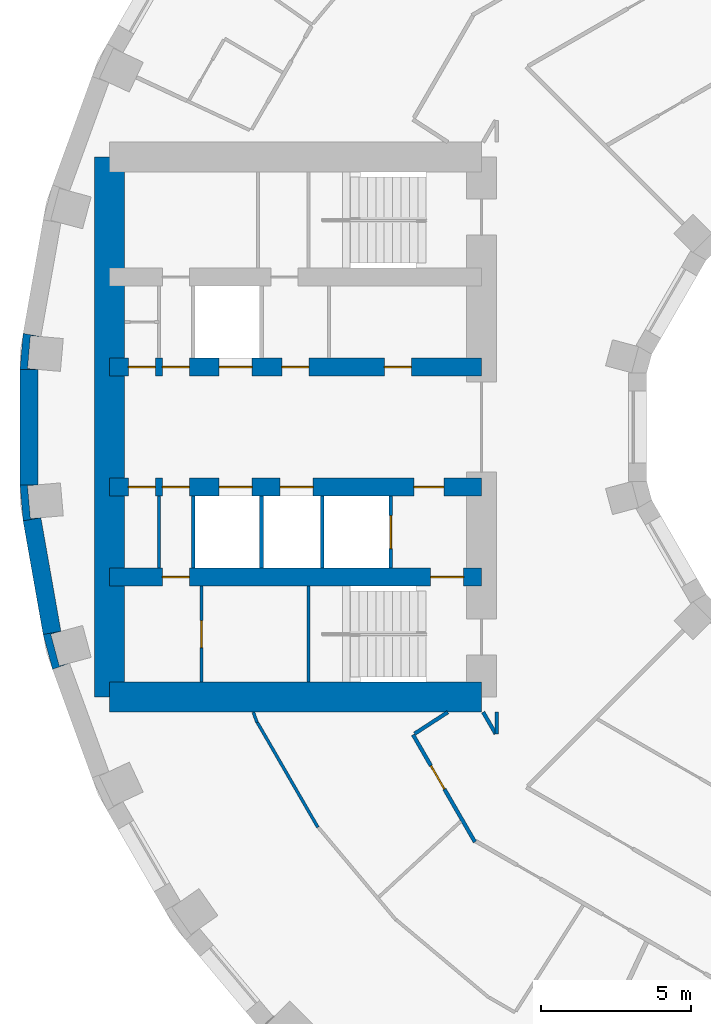
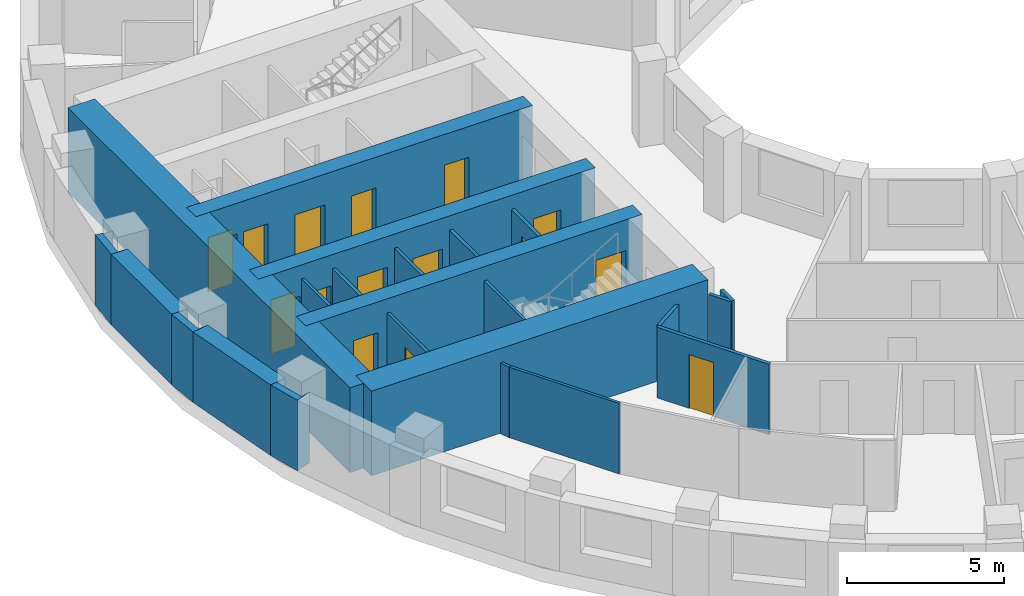
# One storey, part 5 of 15: 23 walls, 15 doors, 15 openings.
"""IFC4 building model written with IfcOpenShell, lengths in metres."""

from ifc_helpers import new_model, si_unit, direction, frame, frame_2d, origin, place, context, subcontext, project, spatial, polyline, rectangle, outline, extrude, material, layer, layer_set, type_object, element, fill, save


model = new_model("IFC4")

# Units and contexts
model_context = context("Model", 3, precision=1e-05, world=origin(), true_north=direction((0.0, 1.0)))
body_context = subcontext(model_context, "Body", "Model", "MODEL_VIEW")
ifc_project = project(units=[si_unit("LENGTHUNIT", "METRE"), si_unit("AREAUNIT", "SQUARE_METRE"), si_unit("VOLUMEUNIT", "CUBIC_METRE"), si_unit("PLANEANGLEUNIT", "RADIAN"), si_unit("MASSUNIT", "GRAM", prefix="KILO")], contexts=[model_context])

# Site, building, storey
site_placement = place(None, origin())
site = spatial("IfcSite", under=ifc_project, at=site_placement, CompositionType="ELEMENT")
building_placement = place(site_placement, origin())
building = spatial("IfcBuilding", under=site, at=building_placement, Name="Saqina Gate Tower", CompositionType="ELEMENT")
storey_placement = place(building_placement, frame((0.0, 0.0, 69.199951171875)))
storey = spatial("IfcBuildingStorey", under=building, at=storey_placement, Name="L19", CompositionType="ELEMENT", Elevation=69.199951171875)

# Walls
ifc_material_1 = material(Name="Brick masonry (red)", Category="masonry")
wall_type_1 = type_object("IfcWallType", Name="BRICK PIER COPING RED", PredefinedType="SOLIDWALL", material=ifc_material_1)
wall_1_placement = place(storey_placement, origin())
element("IfcWall", 1, at=wall_1_placement, inside=storey, type_object=wall_type_1, Name="Pier cap L19 column 18", PredefinedType="SOLIDWALL", context=body_context, shape_type="SweptSolid", body=[
    extrude(outline(polyline([(-28.78466796875, 3.122802734375), (-28.8896484375, 1.9228515625), (-28.28955078125, 1.9228515625), (-28.638671875, 1.95361328125), (-28.54296875, 3.04931640625), (-28.19384765625, 3.018798828125), (-28.78466796875, 3.122802734375)])), origin(), (0.0, 0.0, 1.0), 2.75),
])
wall_2_placement = place(storey_placement, origin())
element("IfcWall", 2, at=wall_2_placement, inside=storey, type_object=wall_type_1, Name="Pier cap L19 column 19", PredefinedType="SOLIDWALL", context=body_context, shape_type="SweptSolid", body=[
    extrude(outline(polyline([(-28.8896484375, -1.9228515625), (-28.78466796875, -3.122802734375), (-28.19384765625, -3.018798828125), (-28.54296875, -3.04931640625), (-28.638671875, -1.95361328125), (-28.28955078125, -1.9228515625), (-28.8896484375, -1.9228515625)])), origin(), (0.0, 0.0, 1.0), 2.75),
])
wall_3_placement = place(storey_placement, origin())
element("IfcWall", 3, at=wall_3_placement, inside=storey, type_object=wall_type_1, Name="Pier cap L19 column 20", PredefinedType="SOLIDWALL", context=body_context, shape_type="SweptSolid", body=[
    extrude(outline(polyline([(-28.11669921875, -6.910400390625), (-27.80517578125, -8.073974609375), (-27.2412109375, -7.86865234375), (-27.57958984375, -7.95947265625), (-27.864501953125, -6.896728515625), (-27.52587890625, -6.80615234375), (-28.11669921875, -6.910400390625)])), origin(), (0.0, 0.0, 1.0), 2.75),
])
ifc_material_2 = material(Name="Gypsum board on steel studs", Category="steel")
ifc_layer_1 = layer(ifc_material_2, 0.10009765625)
ifc_layer_set_1 = layer_set([ifc_layer_1], Name="CORE PARTITION")
wall_type_2 = type_object("IfcWallType", Name="CORE PARTITION", PredefinedType="PARTITIONING", material=ifc_layer_set_1)
wall_4_placement = place(storey_placement, frame((-24.260009765625, -4.699951171875, 0.0), z_axis=(0.0, 0.0, 1.0), x_axis=(0.0, 1.0, 0.0)))
element("IfcWall", 4, at=wall_4_placement, inside=storey, type_object=wall_type_2, Name="L19-CP-W09", PredefinedType="PARTITIONING", context=body_context, shape_type="SweptSolid", body=[
    extrude(rectangle(XDim=2.39990234375, YDim=0.10009765625, at=frame_2d((1.199951171875, 0.0))), origin(), (0.0, 0.0, 1.0), 2.75),
])

# Wall, opening, door
wall_5_placement = place(storey_placement, frame((-22.846435546875, -8.5, 0.0), z_axis=(0.0, 0.0, 1.0), x_axis=(0.0, 1.0, 0.0)))
wall_5 = element("IfcWall", 5, at=wall_5_placement, inside=storey, type_object=wall_type_2, Name="L19-CP-W14", PredefinedType="PARTITIONING", context=body_context, shape_type="SweptSolid", body=[
    extrude(rectangle(XDim=3.199951171875, YDim=0.10009765625, at=frame_2d((1.60009765625, 0.0))), origin(), (0.0, 0.0, 1.0), 2.75),
])
opening_1_placement = place(wall_5_placement, frame((1.14990234375, 0.0, 0.0)))
opening_1 = element("IfcOpeningElement", 6, at=opening_1_placement, cuts=wall_5, Name="Opening G05-D116", PredefinedType="OPENING", context=body_context, shape_type="SweptSolid", body=[
    extrude(rectangle(XDim=0.89990234375, YDim=2.10009765625, at=frame_2d((0.449951171875, 1.050048828125))), frame((0.0, 0.06201171875, 0.0), z_axis=(0.0, -1.0, 0.0), x_axis=(1.0, 0.0, 0.0)), (0.0, 0.0, 1.0), 0.1240234375),
])
ifc_material_3 = material(Name="Steel-framed fire door leaf, EI 60", Category="steel")
door_type_1 = type_object("IfcDoorType", Name="SERVICE ROOM DOOR 900", OperationType="SINGLE_SWING_LEFT", PredefinedType="DOOR", material=ifc_material_3)
door_1_placement = place(opening_1_placement, frame((0.89990234375, 0.0, 0.0), z_axis=(0.0, 0.0, 1.0), x_axis=(-1.0, 0.0, 0.0)))
door_1 = element("IfcDoor", 7, at=door_1_placement, inside=storey, type_object=door_type_1, Name="L19-CD-W27", OperationType="SINGLE_SWING_RIGHT", OverallHeight=2.10009765625, OverallWidth=0.89990234375, PredefinedType="DOOR", context=body_context, shape_type="SweptSolid", body=[
    extrude(rectangle(XDim=0.89990234375, YDim=2.10009765625, at=frame_2d((0.449951171875, 1.050048828125))), frame((0.0, 0.02490234375, 0.0), z_axis=(0.0, -1.0, 0.0), x_axis=(1.0, 0.0, 0.0)), (0.0, 0.0, 1.0), 0.050048828125),
])
fill(opening_1, door_1)

# Walls
ifc_material_4 = material(Name="Glazed ceramic tile", Category="ceramic")
ifc_layer_2 = layer(ifc_material_4, 0.60009765625)
ifc_layer_set_2 = layer_set([ifc_layer_2], Name="FW-TILE")
wall_type_3 = type_object("IfcWallType", Name="FW-TILE", PredefinedType="SOLIDWALL", material=ifc_layer_set_2)
wall_6_placement = place(storey_placement, frame((-28.589599609375, 1.9228515625, 0.0), z_axis=(0.0, 0.0, 1.0), x_axis=(0.0, -1.0, 0.0)))
element("IfcWall", 8, at=wall_6_placement, inside=storey, type_object=wall_type_3, Name="Facade wall L19 facet 18", PredefinedType="SOLIDWALL", context=body_context, shape_type="SweptSolid", body=[
    extrude(rectangle(XDim=3.845703125, YDim=0.60009765625, at=frame_2d((1.9228515625, 0.0))), origin(), (0.0, 0.0, 1.0), 2.75),
])
ifc_material_5 = material(Name="Glazed ceramic tile (dark blue)", Category="ceramic")
ifc_layer_3 = layer(ifc_material_5, 0.60009765625)
ifc_layer_set_3 = layer_set([ifc_layer_3], Name="FW-TILE-CB")
wall_type_4 = type_object("IfcWallType", Name="FW-TILE-CB", PredefinedType="SOLIDWALL", material=ifc_layer_set_3)
wall_7_placement = place(storey_placement, frame((-28.4892578125, -3.07080078125, 0.0), z_axis=(0.0, 0.0, 1.0), x_axis=(0.173687553279, -0.984800809218, 0.0)))
element("IfcWall", 9, at=wall_7_placement, inside=storey, type_object=wall_type_4, Name="Facade wall L19 facet 19", PredefinedType="SOLIDWALL", context=body_context, shape_type="SweptSolid", body=[
    extrude(rectangle(XDim=3.845703125, YDim=0.60009765625, at=frame_2d((1.9228515625, 0.0))), origin(), (0.0, 0.0, 1.0), 2.75),
])
ifc_material_6 = material(Name="Gypsum board on steel studs, 100 mm", Category="steel")
ifc_layer_4 = layer(ifc_material_6, 0.10009765625)
ifc_layer_set_4 = layer_set([ifc_layer_4], Name="PARTITION 100")
wall_type_5 = type_object("IfcWallType", Name="PARTITION 100", PredefinedType="PARTITIONING", material=ifc_layer_set_4)
wall_8_placement = place(storey_placement, frame((-21.114013671875, -9.5, 0.0), z_axis=(0.0, 0.0, 1.0), x_axis=(0.34403955715, -0.938955155008, 0.0)))
element("IfcWall", 10, at=wall_8_placement, inside=storey, type_object=wall_type_5, Name="PARTITION PW3-17", PredefinedType="PARTITIONING", context=body_context, shape_type="SweptSolid", body=[
    extrude(rectangle(XDim=0.366943359375, YDim=0.10009765625, at=frame_2d((0.18359375, 0.0))), origin(), (0.0, 0.0, 1.0), 2.75),
])
wall_9_placement = place(storey_placement, frame((-20.980224609375, -9.840087890625, 0.0), z_axis=(0.0, 0.0, 1.0), x_axis=(0.500013722509, -0.866017480945, 0.0)))
element("IfcWall", 11, at=wall_9_placement, inside=storey, type_object=wall_type_5, Name="PARTITION PW3-22", PredefinedType="PARTITIONING", context=body_context, shape_type="SweptSolid", body=[
    extrude(rectangle(XDim=4.0390625, YDim=0.10009765625, at=frame_2d((2.01953125, 0.0))), origin(), (0.0, 0.0, 1.0), 2.75),
])

# Wall, opening, door
ifc_material_7 = material(Name="Gypsum board on steel studs, 125 mm, fire rated", Category="steel")
ifc_layer_5 = layer(ifc_material_7, 0.125)
ifc_layer_set_5 = layer_set([ifc_layer_5], Name="PARTITION EI 30 125")
wall_type_6 = type_object("IfcWallType", Name="PARTITION EI 30 125", PredefinedType="PARTITIONING", material=ifc_layer_set_5)
wall_10_placement = place(storey_placement, frame((-15.7890625, -10.2529296875, 0.0), z_axis=(0.0, 0.0, 1.0), x_axis=(0.49993934159, -0.866060422101, 0.0)))
wall_10 = element("IfcWall", 12, at=wall_10_placement, inside=storey, type_object=wall_type_6, Name="PARTITION PW1-01", PredefinedType="PARTITIONING", context=body_context, shape_type="SweptSolid", body=[
    extrude(rectangle(XDim=4.125, YDim=0.125, at=frame_2d((2.0625, 0.0))), origin(), (0.0, 0.0, 1.0), 2.75),
])
opening_2_placement = place(wall_10_placement, frame((1.189453125, 0.0, 0.0)))
opening_2 = element("IfcOpeningElement", 13, at=opening_2_placement, cuts=wall_10, Name="Opening G05-D36", PredefinedType="OPENING", context=body_context, shape_type="SweptSolid", body=[
    extrude(rectangle(XDim=0.89990234375, YDim=2.10009765625, at=frame_2d((0.449951171875, 1.050048828125))), frame((0.0, 0.074462890625, 0.0), z_axis=(0.0, -1.0, 0.0), x_axis=(1.0, 0.0, 0.0)), (0.0, 0.0, 1.0), 0.14892578125),
])
ifc_material_8 = material(Name="Fire door leaf EI 30, 900 mm")
door_type_2 = type_object("IfcDoorType", Name="DOOR 900 EI 30", OperationType="SINGLE_SWING_LEFT", PredefinedType="DOOR", material=ifc_material_8)
door_2_placement = place(opening_2_placement, frame((0.89990234375, 0.0, 0.0), z_axis=(0.0, 0.0, 1.0), x_axis=(-1.0, 0.0, 0.0)))
door_2 = element("IfcDoor", 14, at=door_2_placement, inside=storey, type_object=door_type_2, Name="DOOR G05-D36", OperationType="SINGLE_SWING_RIGHT", OverallHeight=2.10009765625, OverallWidth=0.89990234375, PredefinedType="DOOR", context=body_context, shape_type="SweptSolid", body=[
    extrude(rectangle(XDim=0.89990234375, YDim=2.10009765625, at=frame_2d((0.449951171875, 1.050048828125))), frame((0.0, 0.02490234375, 0.0), z_axis=(0.0, -1.0, 0.0), x_axis=(1.0, 0.0, 0.0)), (0.0, 0.0, 1.0), 0.050048828125),
])
fill(opening_2, door_2)

# Walls
wall_11_placement = place(storey_placement, frame((-13.451904296875, -9.5, 0.0), z_axis=(0.0, 0.0, 1.0), x_axis=(0.49991670217, -0.866073490468, 0.0)))
element("IfcWall", 15, at=wall_11_placement, inside=storey, type_object=wall_type_6, Name="PARTITION PW1-02", PredefinedType="PARTITIONING", context=body_context, shape_type="SweptSolid", body=[
    extrude(rectangle(XDim=0.834228515625, YDim=0.125, at=frame_2d((0.4169921875, 0.0))), origin(), (0.0, 0.0, 1.0), 2.75),
])
wall_12_placement = place(storey_placement, frame((-15.736572265625, -10.218994140625, 0.0), z_axis=(0.0, 0.0, 1.0), x_axis=(0.838785586694, 0.544461880717, 0.0)))
element("IfcWall", 16, at=wall_12_placement, inside=storey, type_object=wall_type_6, Name="PARTITION PW1-38", PredefinedType="PARTITIONING", context=body_context, shape_type="SweptSolid", body=[
    extrude(rectangle(XDim=1.320556640625, YDim=0.125, at=frame_2d((0.66015625, 0.0))), origin(), (0.0, 0.0, 1.0), 2.75),
])
wall_13_placement = place(storey_placement, frame((-13.0, -10.220458984375, 0.0), z_axis=(0.0, 0.0, 1.0), x_axis=(0.0, 1.0, 0.0)))
element("IfcWall", 17, at=wall_13_placement, inside=storey, type_object=wall_type_6, Name="PARTITION PW1-55", PredefinedType="PARTITIONING", context=body_context, shape_type="SweptSolid", body=[
    extrude(rectangle(XDim=0.720458984375, YDim=0.125, at=frame_2d((0.3603515625, 0.0))), origin(), (0.0, 0.0, 1.0), 2.75),
])

# Wall, opening, door
ifc_material_9 = material(Name="Autoclaved aerated concrete block", Category="concrete")
ifc_layer_6 = layer(ifc_material_9, 0.1201171875)
ifc_layer_set_6 = layer_set([ifc_layer_6], Name="SHAFT PARTITION")
wall_type_7 = type_object("IfcWallType", Name="SHAFT PARTITION", PredefinedType="PARTITIONING", material=ifc_layer_set_6)
wall_14_placement = place(storey_placement, frame((-16.530029296875, -4.699951171875, 0.0), z_axis=(0.0, 0.0, 1.0), x_axis=(0.0, 1.0, 0.0)))
wall_14 = element("IfcWall", 18, at=wall_14_placement, inside=storey, type_object=wall_type_7, Name="L19-CP-W05", PredefinedType="PARTITIONING", context=body_context, shape_type="SweptSolid", body=[
    extrude(rectangle(XDim=2.39990234375, YDim=0.1201171875, at=frame_2d((1.199951171875, 0.0))), origin(), (0.0, 0.0, 1.0), 2.75),
])
opening_3_placement = place(wall_14_placement, frame((0.64990234375, 0.0, 0.0)))
opening_3 = element("IfcOpeningElement", 19, at=opening_3_placement, cuts=wall_14, Name="Opening G05-LD6", PredefinedType="OPENING", context=body_context, shape_type="SweptSolid", body=[
    extrude(rectangle(XDim=1.10009765625, YDim=2.10009765625, at=frame_2d((0.550048828125, 1.050048828125))), frame((0.0, 0.072021484375, 0.0), z_axis=(0.0, -1.0, 0.0), x_axis=(1.0, 0.0, 0.0)), (0.0, 0.0, 1.0), 0.14404296875),
])
ifc_material_10 = material(Name="Stainless steel", Category="steel")
door_type_3 = type_object("IfcDoorType", Name="LANDING DOOR", OperationType="DOUBLE_DOOR_SLIDING", PredefinedType="DOOR", material=ifc_material_10)
door_3_placement = place(opening_3_placement, origin())
door_3 = element("IfcDoor", 20, at=door_3_placement, inside=storey, type_object=door_type_3, Name="LANDING DOOR FF2", OperationType="DOUBLE_DOOR_SLIDING", OverallHeight=2.10009765625, OverallWidth=1.10009765625, PredefinedType="DOOR", context=body_context, shape_type="SweptSolid", body=[
    extrude(rectangle(XDim=1.10009765625, YDim=2.10009765625, at=frame_2d((0.550048828125, 1.050048828125))), frame((0.0, 0.02490234375, 0.0), z_axis=(0.0, -1.0, 0.0), x_axis=(1.0, 0.0, 0.0)), (0.0, 0.0, 1.0), 0.050048828125),
])
fill(opening_3, door_3)

# Walls
for number, where, z_axis, x_axis, name in (
    (21, (-18.81005859375, -4.699951171875, 0.0), (0.0, 0.0, 1.0), (0.0, 1.0, 0.0), "L19-CP-W06"),
    (22, (-20.840087890625, -4.699951171875, 0.0), (0.0, 0.0, 1.0), (0.0, 1.0, 0.0), "L19-CP-W07"),
    (23, (-23.1201171875, -4.699951171875, 0.0), (0.0, 0.0, 1.0), (0.0, 1.0, 0.0), "L19-CP-W08"),
):
    element("IfcWall", number, at=place(storey_placement, frame(where, z_axis=z_axis, x_axis=x_axis)), inside=storey, type_object=wall_type_7, Name=name, PredefinedType="PARTITIONING", context=body_context, shape_type="SweptSolid", body=[
        extrude(rectangle(XDim=2.39990234375, YDim=0.1201171875, at=frame_2d((1.199951171875, 0.0))), origin(), (0.0, 0.0, 1.0), 2.75),
    ])
ifc_material_11 = material(Name="Autoclaved aerated concrete block", Category="concrete")
ifc_layer_7 = layer(ifc_material_11, 0.10009765625)
ifc_layer_set_7 = layer_set([ifc_layer_7], Name="STAIR ENCLOSURE WALL")
wall_type_8 = type_object("IfcWallType", Name="STAIR ENCLOSURE WALL", PredefinedType="PARTITIONING", material=ifc_layer_set_7)
wall_15_placement = place(storey_placement, frame((-19.27001953125, -8.5, 0.0), z_axis=(0.0, 0.0, 1.0), x_axis=(0.0, 1.0, 0.0)))
element("IfcWall", 24, at=wall_15_placement, inside=storey, type_object=wall_type_8, Name="L19-CP-W13", PredefinedType="PARTITIONING", context=body_context, shape_type="SweptSolid", body=[
    extrude(rectangle(XDim=3.199951171875, YDim=0.10009765625, at=frame_2d((1.60009765625, 0.0))), origin(), (0.0, 0.0, 1.0), 2.75),
])

# Wall, openings, doors
ifc_material_12 = material(Name="Concrete C70/85", Category="concrete")
ifc_layer_8 = layer(ifc_material_12, 0.60009765625)
ifc_layer_set_8 = layer_set([ifc_layer_8], Name="Concrete C70/85")
wall_type_9 = type_object("IfcWallType", Name="STR-CORE WALL-A-I", PredefinedType="SHEAR", material=ifc_layer_set_8)
wall_16_placement = place(storey_placement, frame((-13.5, -5.0, 0.0), z_axis=(0.0, 0.0, 1.0), x_axis=(-1.0, 0.0, 0.0)))
wall_16 = element("IfcWall", 25, at=wall_16_placement, inside=storey, type_object=wall_type_9, Name="CORE WALL L19 W-X2", PredefinedType="SHEAR", context=body_context, shape_type="SweptSolid", body=[
    extrude(rectangle(XDim=12.39990234375, YDim=0.60009765625, at=frame_2d((6.199951171875, 0.0))), origin(), (0.0, 0.0, 1.0), 3.300048828125),
])
opening_4_placement = place(wall_16_placement, frame((9.739990234375, 0.0, 0.0)))
opening_4 = element("IfcOpeningElement", 26, at=opening_4_placement, cuts=wall_16, Name="Opening G05-D117", PredefinedType="OPENING", context=body_context, shape_type="SweptSolid", body=[
    extrude(rectangle(XDim=0.89990234375, YDim=2.10009765625, at=frame_2d((0.449951171875, 1.050048828125))), frame((0.0, 0.31201171875, 0.0), z_axis=(0.0, -1.0, 0.0), x_axis=(1.0, 0.0, 0.0)), (0.0, 0.0, 1.0), 0.6240234375),
])
opening_5_placement = place(wall_16_placement, frame((0.60009765625, 0.0, 0.0)))
opening_5 = element("IfcOpeningElement", 27, at=opening_5_placement, cuts=wall_16, Name="Opening G05-D118", PredefinedType="OPENING", context=body_context, shape_type="SweptSolid", body=[
    extrude(rectangle(XDim=1.10009765625, YDim=2.10009765625, at=frame_2d((0.550048828125, 1.050048828125))), frame((0.0, 0.31201171875, 0.0), z_axis=(0.0, -1.0, 0.0), x_axis=(1.0, 0.0, 0.0)), (0.0, 0.0, 1.0), 0.6240234375),
])
ifc_material_13 = material(Name="Steel", Category="steel")
door_type_4 = type_object("IfcDoorType", Name="FIRE LOBBY DOOR EI 60 WIDE", OperationType="SINGLE_SWING_LEFT", PredefinedType="DOOR", material=ifc_material_13)
door_4_placement = place(opening_5_placement, origin())
door_4 = element("IfcDoor", 28, at=door_4_placement, inside=storey, type_object=door_type_4, Name="L19-CD-W29", OperationType="SINGLE_SWING_LEFT", OverallHeight=2.10009765625, OverallWidth=1.10009765625, PredefinedType="DOOR", context=body_context, shape_type="SweptSolid", body=[
    extrude(rectangle(XDim=1.10009765625, YDim=2.10009765625, at=frame_2d((0.550048828125, 1.050048828125))), frame((0.0, 0.02490234375, 0.0), z_axis=(0.0, -1.0, 0.0), x_axis=(1.0, 0.0, 0.0)), (0.0, 0.0, 1.0), 0.050048828125),
])
fill(opening_5, door_4)
door_5_placement = place(opening_4_placement, origin())
door_5 = element("IfcDoor", 29, at=door_5_placement, inside=storey, type_object=door_type_1, Name="L19-CD-W28", OperationType="SINGLE_SWING_LEFT", OverallHeight=2.10009765625, OverallWidth=0.89990234375, PredefinedType="DOOR", context=body_context, shape_type="SweptSolid", body=[
    extrude(rectangle(XDim=0.89990234375, YDim=2.10009765625, at=frame_2d((0.449951171875, 1.050048828125))), frame((0.0, 0.02490234375, 0.0), z_axis=(0.0, -1.0, 0.0), x_axis=(1.0, 0.0, 0.0)), (0.0, 0.0, 1.0), 0.050048828125),
])
fill(opening_4, door_5)

wall_17_placement = place(storey_placement, frame((-13.5, 2.0, 0.0), z_axis=(0.0, 0.0, 1.0), x_axis=(-1.0, 0.0, 0.0)))
wall_17 = element("IfcWall", 30, at=wall_17_placement, inside=storey, type_object=wall_type_9, Name="CORE WALL L19 W-L1", PredefinedType="SHEAR", context=body_context, shape_type="SweptSolid", body=[
    extrude(rectangle(XDim=12.39990234375, YDim=0.60009765625, at=frame_2d((6.199951171875, 0.0))), origin(), (0.0, 0.0, 1.0), 3.300048828125),
])
opening_6_placement = place(wall_17_placement, frame((7.64990234375, 0.0, 0.0)))
opening_6 = element("IfcOpeningElement", 31, at=opening_6_placement, cuts=wall_17, Name="Opening G05-LD5", PredefinedType="OPENING", context=body_context, shape_type="SweptSolid", body=[
    extrude(rectangle(XDim=1.10009765625, YDim=2.10009765625, at=frame_2d((0.550048828125, 1.050048828125))), frame((0.0, 0.31201171875, 0.0), z_axis=(0.0, -1.0, 0.0), x_axis=(1.0, 0.0, 0.0)), (0.0, 0.0, 1.0), 0.6240234375),
])
opening_7_placement = place(wall_17_placement, frame((2.34130859375, 0.0, 0.0)))
opening_7 = element("IfcOpeningElement", 32, at=opening_7_placement, cuts=wall_17, Name="Opening G05-D106", PredefinedType="OPENING", context=body_context, shape_type="SweptSolid", body=[
    extrude(rectangle(XDim=0.89990234375, YDim=2.10009765625, at=frame_2d((0.449951171875, 1.050048828125))), frame((0.0, 0.31201171875, 0.0), z_axis=(0.0, -1.0, 0.0), x_axis=(1.0, 0.0, 0.0)), (0.0, 0.0, 1.0), 0.6240234375),
])
opening_8_placement = place(wall_17_placement, frame((5.761474609375, 0.0, 0.0)))
opening_8 = element("IfcOpeningElement", 33, at=opening_8_placement, cuts=wall_17, Name="Opening G05-D107", PredefinedType="OPENING", context=body_context, shape_type="SweptSolid", body=[
    extrude(rectangle(XDim=0.89990234375, YDim=2.10009765625, at=frame_2d((0.449951171875, 1.050048828125))), frame((0.0, 0.31201171875, 0.0), z_axis=(0.0, -1.0, 0.0), x_axis=(1.0, 0.0, 0.0)), (0.0, 0.0, 1.0), 0.6240234375),
])
opening_9_placement = place(wall_17_placement, frame((9.739990234375, 0.0, 0.0)))
opening_9 = element("IfcOpeningElement", 34, at=opening_9_placement, cuts=wall_17, Name="Opening G05-D108", PredefinedType="OPENING", context=body_context, shape_type="SweptSolid", body=[
    extrude(rectangle(XDim=0.89990234375, YDim=2.10009765625, at=frame_2d((0.449951171875, 1.050048828125))), frame((0.0, 0.31201171875, 0.0), z_axis=(0.0, -1.0, 0.0), x_axis=(1.0, 0.0, 0.0)), (0.0, 0.0, 1.0), 0.6240234375),
])
opening_10_placement = place(wall_17_placement, frame((10.8798828125, 0.0, 0.0)))
opening_10 = element("IfcOpeningElement", 35, at=opening_10_placement, cuts=wall_17, Name="Opening G05-D109", PredefinedType="OPENING", context=body_context, shape_type="SweptSolid", body=[
    extrude(rectangle(XDim=0.89990234375, YDim=2.10009765625, at=frame_2d((0.449951171875, 1.050048828125))), frame((0.0, 0.31201171875, 0.0), z_axis=(0.0, -1.0, 0.0), x_axis=(1.0, 0.0, 0.0)), (0.0, 0.0, 1.0), 0.6240234375),
])
door_6_placement = place(opening_6_placement, origin())
door_6 = element("IfcDoor", 36, at=door_6_placement, inside=storey, type_object=door_type_3, Name="LANDING DOOR LR4", OperationType="DOUBLE_DOOR_SLIDING", OverallHeight=2.10009765625, OverallWidth=1.10009765625, PredefinedType="DOOR", context=body_context, shape_type="SweptSolid", body=[
    extrude(rectangle(XDim=1.10009765625, YDim=2.10009765625, at=frame_2d((0.550048828125, 1.050048828125))), frame((0.0, 0.02490234375, 0.0), z_axis=(0.0, -1.0, 0.0), x_axis=(1.0, 0.0, 0.0)), (0.0, 0.0, 1.0), 0.050048828125),
])
fill(opening_6, door_6)
door_7_placement = place(opening_7_placement, frame((0.89990234375, 0.0, 0.0), z_axis=(0.0, 0.0, 1.0), x_axis=(-1.0, 0.0, 0.0)))
door_7 = element("IfcDoor", 37, at=door_7_placement, inside=storey, type_object=door_type_1, Name="L19-CD-W17", OperationType="SINGLE_SWING_RIGHT", OverallHeight=2.10009765625, OverallWidth=0.89990234375, PredefinedType="DOOR", context=body_context, shape_type="SweptSolid", body=[
    extrude(rectangle(XDim=0.89990234375, YDim=2.10009765625, at=frame_2d((0.449951171875, 1.050048828125))), frame((0.0, 0.02490234375, 0.0), z_axis=(0.0, -1.0, 0.0), x_axis=(1.0, 0.0, 0.0)), (0.0, 0.0, 1.0), 0.050048828125),
])
fill(opening_7, door_7)
door_8_placement = place(opening_8_placement, frame((0.89990234375, 0.0, 0.0), z_axis=(0.0, 0.0, 1.0), x_axis=(-1.0, 0.0, 0.0)))
door_8 = element("IfcDoor", 38, at=door_8_placement, inside=storey, type_object=door_type_1, Name="L19-CD-W18", OperationType="SINGLE_SWING_LEFT", OverallHeight=2.10009765625, OverallWidth=0.89990234375, PredefinedType="DOOR", context=body_context, shape_type="SweptSolid", body=[
    extrude(rectangle(XDim=0.89990234375, YDim=2.10009765625, at=frame_2d((0.449951171875, 1.050048828125))), frame((0.0, 0.02490234375, 0.0), z_axis=(0.0, -1.0, 0.0), x_axis=(1.0, 0.0, 0.0)), (0.0, 0.0, 1.0), 0.050048828125),
])
fill(opening_8, door_8)
door_9_placement = place(opening_9_placement, frame((0.89990234375, 0.0, 0.0), z_axis=(0.0, 0.0, 1.0), x_axis=(-1.0, 0.0, 0.0)))
door_9 = element("IfcDoor", 39, at=door_9_placement, inside=storey, type_object=door_type_1, Name="L19-CD-W19", OperationType="SINGLE_SWING_RIGHT", OverallHeight=2.10009765625, OverallWidth=0.89990234375, PredefinedType="DOOR", context=body_context, shape_type="SweptSolid", body=[
    extrude(rectangle(XDim=0.89990234375, YDim=2.10009765625, at=frame_2d((0.449951171875, 1.050048828125))), frame((0.0, 0.02490234375, 0.0), z_axis=(0.0, -1.0, 0.0), x_axis=(1.0, 0.0, 0.0)), (0.0, 0.0, 1.0), 0.050048828125),
])
fill(opening_9, door_9)
door_10_placement = place(opening_10_placement, frame((0.89990234375, 0.0, 0.0), z_axis=(0.0, 0.0, 1.0), x_axis=(-1.0, 0.0, 0.0)))
door_10 = element("IfcDoor", 40, at=door_10_placement, inside=storey, type_object=door_type_1, Name="L19-CD-W20", OperationType="SINGLE_SWING_LEFT", OverallHeight=2.10009765625, OverallWidth=0.89990234375, PredefinedType="DOOR", context=body_context, shape_type="SweptSolid", body=[
    extrude(rectangle(XDim=0.89990234375, YDim=2.10009765625, at=frame_2d((0.449951171875, 1.050048828125))), frame((0.0, 0.02490234375, 0.0), z_axis=(0.0, -1.0, 0.0), x_axis=(1.0, 0.0, 0.0)), (0.0, 0.0, 1.0), 0.050048828125),
])
fill(opening_10, door_10)

wall_18_placement = place(storey_placement, frame((-13.5, -2.0, 0.0), z_axis=(0.0, 0.0, 1.0), x_axis=(-1.0, 0.0, 0.0)))
wall_18 = element("IfcWall", 41, at=wall_18_placement, inside=storey, type_object=wall_type_9, Name="CORE WALL L19 W-L2", PredefinedType="SHEAR", context=body_context, shape_type="SweptSolid", body=[
    extrude(rectangle(XDim=12.39990234375, YDim=0.60009765625, at=frame_2d((6.199951171875, 0.0))), origin(), (0.0, 0.0, 1.0), 3.300048828125),
])
opening_11_placement = place(wall_18_placement, frame((5.6201171875, 0.0, 0.0)))
opening_11 = element("IfcOpeningElement", 42, at=opening_11_placement, cuts=wall_18, Name="Opening G05-LD7", PredefinedType="OPENING", context=body_context, shape_type="SweptSolid", body=[
    extrude(rectangle(XDim=1.10009765625, YDim=2.10009765625, at=frame_2d((0.550048828125, 1.050048828125))), frame((0.0, 0.31201171875, 0.0), z_axis=(0.0, -1.0, 0.0), x_axis=(1.0, 0.0, 0.0)), (0.0, 0.0, 1.0), 0.6240234375),
])
opening_12_placement = place(wall_18_placement, frame((7.64990234375, 0.0, 0.0)))
opening_12 = element("IfcOpeningElement", 43, at=opening_12_placement, cuts=wall_18, Name="Opening G05-LD8", PredefinedType="OPENING", context=body_context, shape_type="SweptSolid", body=[
    extrude(rectangle(XDim=1.10009765625, YDim=2.10009765625, at=frame_2d((0.550048828125, 1.050048828125))), frame((0.0, 0.31201171875, 0.0), z_axis=(0.0, -1.0, 0.0), x_axis=(1.0, 0.0, 0.0)), (0.0, 0.0, 1.0), 0.6240234375),
])
opening_13_placement = place(wall_18_placement, frame((1.264892578125, 0.0, 0.0)))
opening_13 = element("IfcOpeningElement", 44, at=opening_13_placement, cuts=wall_18, Name="Opening G05-D110", PredefinedType="OPENING", context=body_context, shape_type="SweptSolid", body=[
    extrude(rectangle(XDim=1.0, YDim=2.10009765625, at=frame_2d((0.5, 1.050048828125))), frame((0.0, 0.31201171875, 0.0), z_axis=(0.0, -1.0, 0.0), x_axis=(1.0, 0.0, 0.0)), (0.0, 0.0, 1.0), 0.6240234375),
])
opening_14_placement = place(wall_18_placement, frame((9.739990234375, 0.0, 0.0)))
opening_14 = element("IfcOpeningElement", 45, at=opening_14_placement, cuts=wall_18, Name="Opening G05-D111", PredefinedType="OPENING", context=body_context, shape_type="SweptSolid", body=[
    extrude(rectangle(XDim=0.89990234375, YDim=2.10009765625, at=frame_2d((0.449951171875, 1.050048828125))), frame((0.0, 0.31201171875, 0.0), z_axis=(0.0, -1.0, 0.0), x_axis=(1.0, 0.0, 0.0)), (0.0, 0.0, 1.0), 0.6240234375),
])
opening_15_placement = place(wall_18_placement, frame((10.8798828125, 0.0, 0.0)))
opening_15 = element("IfcOpeningElement", 46, at=opening_15_placement, cuts=wall_18, Name="Opening G05-D112", PredefinedType="OPENING", context=body_context, shape_type="SweptSolid", body=[
    extrude(rectangle(XDim=0.89990234375, YDim=2.10009765625, at=frame_2d((0.449951171875, 1.050048828125))), frame((0.0, 0.31201171875, 0.0), z_axis=(0.0, -1.0, 0.0), x_axis=(1.0, 0.0, 0.0)), (0.0, 0.0, 1.0), 0.6240234375),
])
ifc_material_14 = material(Name="Steel", Category="steel")
door_type_5 = type_object("IfcDoorType", Name="FIRE LOBBY DOOR EI 60", OperationType="SINGLE_SWING_LEFT", PredefinedType="DOOR", material=ifc_material_14)
door_11_placement = place(opening_13_placement, frame((1.0, 0.0, 0.0), z_axis=(0.0, 0.0, 1.0), x_axis=(-1.0, 0.0, 0.0)))
door_11 = element("IfcDoor", 47, at=door_11_placement, inside=storey, type_object=door_type_5, Name="L19-CD-W21", OperationType="SINGLE_SWING_RIGHT", OverallHeight=2.10009765625, OverallWidth=1.0, PredefinedType="DOOR", context=body_context, shape_type="SweptSolid", body=[
    extrude(rectangle(XDim=1.0, YDim=2.10009765625, at=frame_2d((0.5, 1.050048828125))), frame((0.0, 0.02490234375, 0.0), z_axis=(0.0, -1.0, 0.0), x_axis=(1.0, 0.0, 0.0)), (0.0, 0.0, 1.0), 0.050048828125),
])
fill(opening_13, door_11)
door_12_placement = place(opening_11_placement, origin())
door_12 = element("IfcDoor", 48, at=door_12_placement, inside=storey, type_object=door_type_3, Name="LANDING DOOR LR6", OperationType="DOUBLE_DOOR_SLIDING", OverallHeight=2.10009765625, OverallWidth=1.10009765625, PredefinedType="DOOR", context=body_context, shape_type="SweptSolid", body=[
    extrude(rectangle(XDim=1.10009765625, YDim=2.10009765625, at=frame_2d((0.550048828125, 1.050048828125))), frame((0.0, 0.02490234375, 0.0), z_axis=(0.0, -1.0, 0.0), x_axis=(1.0, 0.0, 0.0)), (0.0, 0.0, 1.0), 0.050048828125),
])
fill(opening_11, door_12)
door_13_placement = place(opening_12_placement, origin())
door_13 = element("IfcDoor", 49, at=door_13_placement, inside=storey, type_object=door_type_3, Name="LANDING DOOR LR5", OperationType="DOUBLE_DOOR_SLIDING", OverallHeight=2.10009765625, OverallWidth=1.10009765625, PredefinedType="DOOR", context=body_context, shape_type="SweptSolid", body=[
    extrude(rectangle(XDim=1.10009765625, YDim=2.10009765625, at=frame_2d((0.550048828125, 1.050048828125))), frame((0.0, 0.02490234375, 0.0), z_axis=(0.0, -1.0, 0.0), x_axis=(1.0, 0.0, 0.0)), (0.0, 0.0, 1.0), 0.050048828125),
])
fill(opening_12, door_13)
door_14_placement = place(opening_14_placement, origin())
door_14 = element("IfcDoor", 50, at=door_14_placement, inside=storey, type_object=door_type_1, Name="L19-CD-W22", OperationType="SINGLE_SWING_LEFT", OverallHeight=2.10009765625, OverallWidth=0.89990234375, PredefinedType="DOOR", context=body_context, shape_type="SweptSolid", body=[
    extrude(rectangle(XDim=0.89990234375, YDim=2.10009765625, at=frame_2d((0.449951171875, 1.050048828125))), frame((0.0, 0.02490234375, 0.0), z_axis=(0.0, -1.0, 0.0), x_axis=(1.0, 0.0, 0.0)), (0.0, 0.0, 1.0), 0.050048828125),
])
fill(opening_14, door_14)
door_15_placement = place(opening_15_placement, origin())
door_15 = element("IfcDoor", 51, at=door_15_placement, inside=storey, type_object=door_type_1, Name="L19-CD-W23", OperationType="SINGLE_SWING_RIGHT", OverallHeight=2.10009765625, OverallWidth=0.89990234375, PredefinedType="DOOR", context=body_context, shape_type="SweptSolid", body=[
    extrude(rectangle(XDim=0.89990234375, YDim=2.10009765625, at=frame_2d((0.449951171875, 1.050048828125))), frame((0.0, 0.02490234375, 0.0), z_axis=(0.0, -1.0, 0.0), x_axis=(1.0, 0.0, 0.0)), (0.0, 0.0, 1.0), 0.050048828125),
])
fill(opening_15, door_15)

# Walls
ifc_material_15 = material(Name="Concrete C70/85", Category="concrete")
ifc_layer_9 = layer(ifc_material_15, 1.0)
ifc_layer_set_9 = layer_set([ifc_layer_9], Name="Concrete C70/85")
wall_type_10 = type_object("IfcWallType", Name="STR-CORE WALL-A-O", PredefinedType="SHEAR", material=ifc_layer_set_9)
wall_19_placement = place(storey_placement, frame((-25.89990234375, -9.0, 0.0), z_axis=(0.0, 0.0, 1.0), x_axis=(0.0, 1.0, 0.0)))
element("IfcWall", 52, at=wall_19_placement, inside=storey, type_object=wall_type_10, Name="CORE WALL L19 W-W2", PredefinedType="SHEAR", context=body_context, shape_type="SweptSolid", body=[
    extrude(rectangle(XDim=18.0, YDim=1.0, at=frame_2d((9.0, 0.0))), origin(), (0.0, 0.0, 1.0), 3.300048828125),
])
wall_20_placement = place(storey_placement, frame((-13.5, -9.0, 0.0), z_axis=(0.0, 0.0, 1.0), x_axis=(-1.0, 0.0, 0.0)))
element("IfcWall", 53, at=wall_20_placement, inside=storey, type_object=wall_type_10, Name="CORE WALL L19 W-SE", PredefinedType="SHEAR", context=body_context, shape_type="SweptSolid", body=[
    extrude(rectangle(XDim=12.39990234375, YDim=1.0, at=frame_2d((6.199951171875, 0.0))), origin(), (0.0, 0.0, 1.0), 3.300048828125),
])

save(model, "model.ifc")
